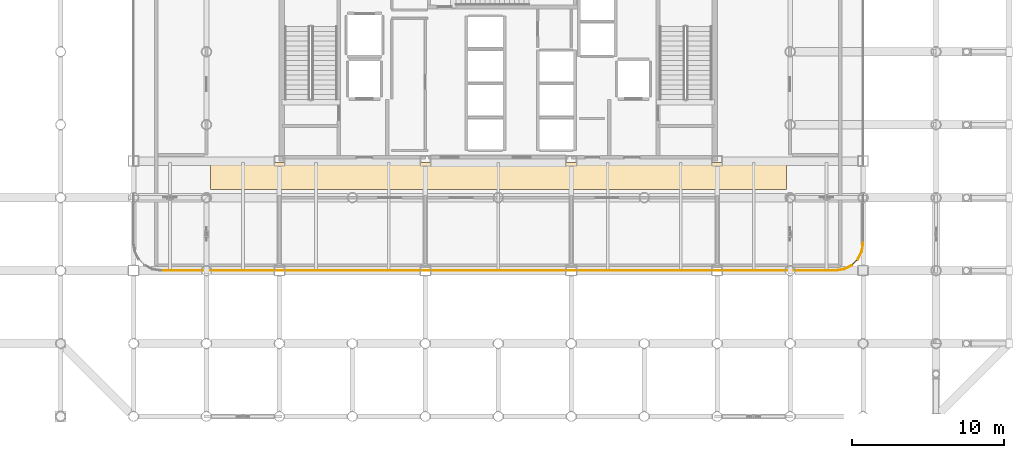
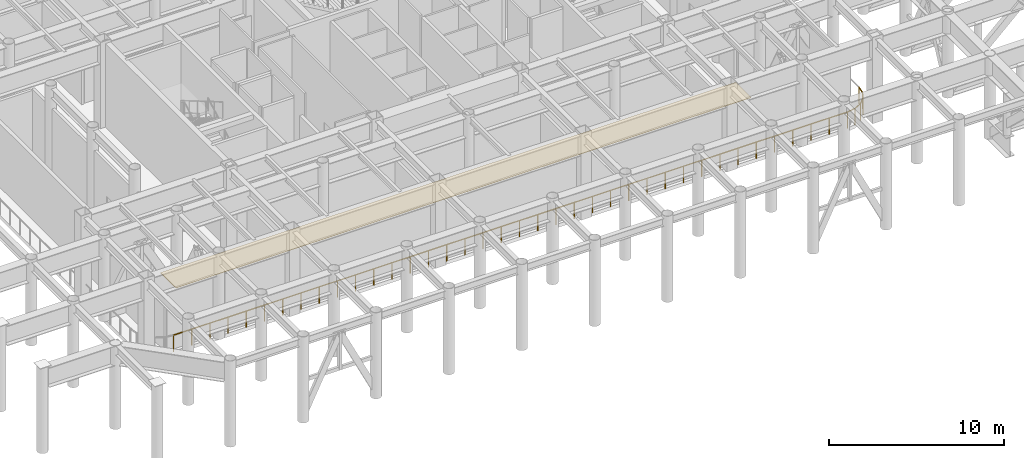
# One storey, part 18 of 20: 6 railings, 1 covering.
"""IFC4 building model written with IfcOpenShell, lengths in metres."""

from ifc_helpers import new_model, si_unit, direction, frame, origin, origin_2d, place, context, subcontext, project, spatial, rectangle, circle, extrude, material, layer, layer_set, type_object, element, save


model = new_model("IFC4")

# Units and contexts
model_context = context("Model", 3, precision=1e-05, world=origin(), true_north=direction((0.0, 1.0)))
body_context = subcontext(model_context, "Body", "Model", "MODEL_VIEW")
ifc_project = project(units=[si_unit("LENGTHUNIT", "METRE"), si_unit("AREAUNIT", "SQUARE_METRE"), si_unit("VOLUMEUNIT", "CUBIC_METRE"), si_unit("PLANEANGLEUNIT", "RADIAN"), si_unit("MASSUNIT", "GRAM", prefix="KILO")], contexts=[model_context])

# Site, building, storey
site_placement = place(None, origin())
site = spatial("IfcSite", under=ifc_project, at=site_placement, CompositionType="ELEMENT")
building_placement = place(site_placement, origin())
building = spatial("IfcBuilding", under=site, at=building_placement, Name="Kallvorn Hotel Tower", CompositionType="ELEMENT")
storey_placement = place(building_placement, frame((0.0, 0.0, 185.5)))
storey = spatial("IfcBuildingStorey", under=building, at=storey_placement, Name="L46", CompositionType="ELEMENT", Elevation=185.5)

# Covering
ifc_material_1 = material(Name="Honed Andean stone terrazzo floor finish", Category="masonry")
ifc_layer_1 = layer(ifc_material_1, 0.0400390625)
ifc_layer_set_1 = layer_set([ifc_layer_1], Name="COV_FLOOR_TERR")
covering_type = type_object("IfcCoveringType", Name="COV_FLOOR_TERR", PredefinedType="FLOORING", material=ifc_layer_set_1)
covering_placement = place(storey_placement, frame((0.0, -8.175048828125, 0.0), z_axis=(0.0, 0.0, 1.0), x_axis=(1.0, 0.0, 0.0)))
element("IfcCovering", 1, at=covering_placement, inside=storey, type_object=covering_type, Name="L46 Honed Terrazzo Lobby Flooring 01", PredefinedType="FLOORING", context=body_context, shape_type="SweptSolid", body=[
    extrude(rectangle(XDim=37.89990234375, YDim=1.75, at=origin_2d()), origin(), (0.0, 0.0, 1.0), 0.0400390625),
])

# Railings
ifc_material_2 = material(Name="Galvanised painted steel S275JR balustrade", Category="steel")
ifc_layer_2 = layer(ifc_material_2, 0.06005859375)
ifc_layer_set_2 = layer_set([ifc_layer_2], Name="RL_WIND_GUARD_1150")
railing_type = type_object("IfcRailingType", Name="RL_WIND_GUARD_1150", PredefinedType="GUARDRAIL", material=ifc_layer_set_2)
railing_1_placement = place(storey_placement, frame((22.199951171875, -14.39990234375, 0.0)))
element("IfcRailing", 2, at=railing_1_placement, inside=storey, type_object=railing_type, Name="L46 Exterior Safety Guardrail WIND-L46-01", PredefinedType="GUARDRAIL", context=body_context, shape_type="SweptSolid", body=[
    extrude(circle(Radius=0.02392578125, at=origin_2d()), frame((0.0, 0.0, 1.1259765625), z_axis=(0.987741862218, 0.156096167866, 0.0), x_axis=(-0.156096167866, 0.987741862218, 0.0)), (0.0, 0.0, 1.0), 0.56298828125),
    extrude(circle(Radius=0.02099609375, at=origin_2d()), origin(), (0.0, 0.0, 1.0), 1.101806640625),
    extrude(circle(Radius=0.02099609375, at=origin_2d()), frame((0.55615234375, 0.087890625, 0.0)), (0.0, 0.0, 1.0), 1.101806640625),
])
railing_2_placement = place(storey_placement, frame((22.756103515625, -14.31201171875, 0.0)))
element("IfcRailing", 3, at=railing_2_placement, inside=storey, type_object=railing_type, Name="L46 Exterior Safety Guardrail WIND-L46-02", PredefinedType="GUARDRAIL", context=body_context, shape_type="SweptSolid", body=[
    extrude(circle(Radius=0.02392578125, at=origin_2d()), frame((0.0, 0.0, 1.1259765625), z_axis=(0.89093365011, 0.454133494803, 0.0), x_axis=(-0.454133494803, 0.89093365011, 0.0)), (0.0, 0.0, 1.0), 0.5634765625),
    extrude(circle(Radius=0.02099609375, at=origin_2d()), origin(), (0.0, 0.0, 1.0), 1.101806640625),
    extrude(circle(Radius=0.02099609375, at=origin_2d()), frame((0.501953125, 0.255859375, 0.0)), (0.0, 0.0, 1.0), 1.101806640625),
])
railing_3_placement = place(storey_placement, frame((23.258056640625, -14.05615234375, 0.0)))
element("IfcRailing", 4, at=railing_3_placement, inside=storey, type_object=railing_type, Name="L46 Exterior Safety Guardrail WIND-L46-03", PredefinedType="GUARDRAIL", context=body_context, shape_type="SweptSolid", body=[
    extrude(circle(Radius=0.02392578125, at=origin_2d()), frame((0.0, 0.0, 1.1259765625), z_axis=(0.707106781187, 0.707106781187, 0.0), x_axis=(-0.707106781187, 0.707106781187, 0.0)), (0.0, 0.0, 1.0), 0.563232421875),
    extrude(circle(Radius=0.02099609375, at=origin_2d()), origin(), (0.0, 0.0, 1.0), 1.101806640625),
    extrude(circle(Radius=0.02099609375, at=origin_2d()), frame((0.398193359375, 0.398193359375, 0.0)), (0.0, 0.0, 1.0), 1.101806640625),
])
railing_4_placement = place(storey_placement, frame((23.65625, -13.657958984375, 0.0)))
element("IfcRailing", 5, at=railing_4_placement, inside=storey, type_object=railing_type, Name="L46 Exterior Safety Guardrail WIND-L46-04", PredefinedType="GUARDRAIL", context=body_context, shape_type="SweptSolid", body=[
    extrude(circle(Radius=0.02392578125, at=origin_2d()), frame((0.0, 0.0, 1.1259765625), z_axis=(0.453964752271, 0.89101964271, 0.0), x_axis=(-0.89101964271, 0.453964752271, 0.0)), (0.0, 0.0, 1.0), 0.56298828125),
    extrude(circle(Radius=0.02099609375, at=origin_2d()), origin(), (0.0, 0.0, 1.0), 1.101806640625),
    extrude(circle(Radius=0.02099609375, at=origin_2d()), frame((0.255615234375, 0.501708984375, 0.0)), (0.0, 0.0, 1.0), 1.101806640625),
])
railing_5_placement = place(storey_placement, frame((23.911865234375, -13.15625, 0.0)))
element("IfcRailing", 6, at=railing_5_placement, inside=storey, type_object=railing_type, Name="L46 Exterior Safety Guardrail WIND-L46-05", PredefinedType="GUARDRAIL", context=body_context, shape_type="SweptSolid", body=[
    extrude(circle(Radius=0.02392578125, at=origin_2d()), frame((0.0, 0.0, 1.1259765625), z_axis=(0.156519160234, 0.987674922472, 0.0), x_axis=(-0.987674922472, 0.156519160234, 0.0)), (0.0, 0.0, 1.0), 0.56298828125),
    extrude(circle(Radius=0.02099609375, at=origin_2d()), origin(), (0.0, 0.0, 1.0), 1.101806640625),
    extrude(circle(Radius=0.02099609375, at=origin_2d()), frame((0.088134765625, 0.55615234375, 0.0)), (0.0, 0.0, 1.0), 1.101806640625),
])
railing_6_placement = place(storey_placement, frame((-22.199951171875, -14.39990234375, 0.0)))
element("IfcRailing", 7, at=railing_6_placement, inside=storey, type_object=railing_type, Name="L46 Exterior Safety Guardrail WIND-L46-24", PredefinedType="GUARDRAIL", context=body_context, shape_type="SweptSolid", body=[
    extrude(circle(Radius=0.02392578125, at=origin_2d()), frame((0.0, 0.0, 1.1259765625), z_axis=(1.0, 0.0, 0.0), x_axis=(0.0, 1.0, 0.0)), (0.0, 0.0, 1.0), 44.39990234375),
    extrude(circle(Radius=0.02099609375, at=origin_2d()), origin(), (0.0, 0.0, 1.0), 1.101806640625),
    extrude(circle(Radius=0.02099609375, at=origin_2d()), frame((1.199951171875, 0.0, 0.0)), (0.0, 0.0, 1.0), 1.101806640625),
    extrude(circle(Radius=0.02099609375, at=origin_2d()), frame((2.39990234375, 0.0, 0.0)), (0.0, 0.0, 1.0), 1.101806640625),
    extrude(circle(Radius=0.02099609375, at=origin_2d()), frame((3.60009765625, 0.0, 0.0)), (0.0, 0.0, 1.0), 1.101806640625),
    extrude(circle(Radius=0.02099609375, at=origin_2d()), frame((4.800048828125, 0.0, 0.0)), (0.0, 0.0, 1.0), 1.101806640625),
    extrude(circle(Radius=0.02099609375, at=origin_2d()), frame((6.0, 0.0, 0.0)), (0.0, 0.0, 1.0), 1.101806640625),
    extrude(circle(Radius=0.02099609375, at=origin_2d()), frame((7.199951171875, 0.0, 0.0)), (0.0, 0.0, 1.0), 1.101806640625),
    extrude(circle(Radius=0.02099609375, at=origin_2d()), frame((8.39990234375, 0.0, 0.0)), (0.0, 0.0, 1.0), 1.101806640625),
    extrude(circle(Radius=0.02099609375, at=origin_2d()), frame((9.60009765625, 0.0, 0.0)), (0.0, 0.0, 1.0), 1.101806640625),
    extrude(circle(Radius=0.02099609375, at=origin_2d()), frame((10.800048828125, 0.0, 0.0)), (0.0, 0.0, 1.0), 1.101806640625),
    extrude(circle(Radius=0.02099609375, at=origin_2d()), frame((12.0, 0.0, 0.0)), (0.0, 0.0, 1.0), 1.101806640625),
    extrude(circle(Radius=0.02099609375, at=origin_2d()), frame((13.199951171875, 0.0, 0.0)), (0.0, 0.0, 1.0), 1.101806640625),
    extrude(circle(Radius=0.02099609375, at=origin_2d()), frame((14.39990234375, 0.0, 0.0)), (0.0, 0.0, 1.0), 1.101806640625),
    extrude(circle(Radius=0.02099609375, at=origin_2d()), frame((15.599853515625, 0.0, 0.0)), (0.0, 0.0, 1.0), 1.101806640625),
    extrude(circle(Radius=0.02099609375, at=origin_2d()), frame((16.800048828125, 0.0, 0.0)), (0.0, 0.0, 1.0), 1.101806640625),
    extrude(circle(Radius=0.02099609375, at=origin_2d()), frame((18.0, 0.0, 0.0)), (0.0, 0.0, 1.0), 1.101806640625),
    extrude(circle(Radius=0.02099609375, at=origin_2d()), frame((19.199951171875, 0.0, 0.0)), (0.0, 0.0, 1.0), 1.101806640625),
    extrude(circle(Radius=0.02099609375, at=origin_2d()), frame((20.39990234375, 0.0, 0.0)), (0.0, 0.0, 1.0), 1.101806640625),
    extrude(circle(Radius=0.02099609375, at=origin_2d()), frame((21.599853515625, 0.0, 0.0)), (0.0, 0.0, 1.0), 1.101806640625),
    extrude(circle(Radius=0.02099609375, at=origin_2d()), frame((22.800048828125, 0.0, 0.0)), (0.0, 0.0, 1.0), 1.101806640625),
    extrude(circle(Radius=0.02099609375, at=origin_2d()), frame((24.0, 0.0, 0.0)), (0.0, 0.0, 1.0), 1.101806640625),
    extrude(circle(Radius=0.02099609375, at=origin_2d()), frame((25.199951171875, 0.0, 0.0)), (0.0, 0.0, 1.0), 1.101806640625),
    extrude(circle(Radius=0.02099609375, at=origin_2d()), frame((26.39990234375, 0.0, 0.0)), (0.0, 0.0, 1.0), 1.101806640625),
    extrude(circle(Radius=0.02099609375, at=origin_2d()), frame((27.599853515625, 0.0, 0.0)), (0.0, 0.0, 1.0), 1.101806640625),
    extrude(circle(Radius=0.02099609375, at=origin_2d()), frame((28.800048828125, 0.0, 0.0)), (0.0, 0.0, 1.0), 1.101806640625),
    extrude(circle(Radius=0.02099609375, at=origin_2d()), frame((30.0, 0.0, 0.0)), (0.0, 0.0, 1.0), 1.101806640625),
    extrude(circle(Radius=0.02099609375, at=origin_2d()), frame((31.199951171875, 0.0, 0.0)), (0.0, 0.0, 1.0), 1.101806640625),
    extrude(circle(Radius=0.02099609375, at=origin_2d()), frame((32.39990234375, 0.0, 0.0)), (0.0, 0.0, 1.0), 1.101806640625),
    extrude(circle(Radius=0.02099609375, at=origin_2d()), frame((33.599853515625, 0.0, 0.0)), (0.0, 0.0, 1.0), 1.101806640625),
    extrude(circle(Radius=0.02099609375, at=origin_2d()), frame((34.7998046875, 0.0, 0.0)), (0.0, 0.0, 1.0), 1.101806640625),
    extrude(circle(Radius=0.02099609375, at=origin_2d()), frame((36.0, 0.0, 0.0)), (0.0, 0.0, 1.0), 1.101806640625),
    extrude(circle(Radius=0.02099609375, at=origin_2d()), frame((37.199951171875, 0.0, 0.0)), (0.0, 0.0, 1.0), 1.101806640625),
    extrude(circle(Radius=0.02099609375, at=origin_2d()), frame((38.39990234375, 0.0, 0.0)), (0.0, 0.0, 1.0), 1.101806640625),
    extrude(circle(Radius=0.02099609375, at=origin_2d()), frame((39.599853515625, 0.0, 0.0)), (0.0, 0.0, 1.0), 1.101806640625),
    extrude(circle(Radius=0.02099609375, at=origin_2d()), frame((40.7998046875, 0.0, 0.0)), (0.0, 0.0, 1.0), 1.101806640625),
    extrude(circle(Radius=0.02099609375, at=origin_2d()), frame((42.0, 0.0, 0.0)), (0.0, 0.0, 1.0), 1.101806640625),
    extrude(circle(Radius=0.02099609375, at=origin_2d()), frame((43.199951171875, 0.0, 0.0)), (0.0, 0.0, 1.0), 1.101806640625),
    extrude(circle(Radius=0.02099609375, at=origin_2d()), frame((44.39990234375, 0.0, 0.0)), (0.0, 0.0, 1.0), 1.101806640625),
])

save(model, "model.ifc")
